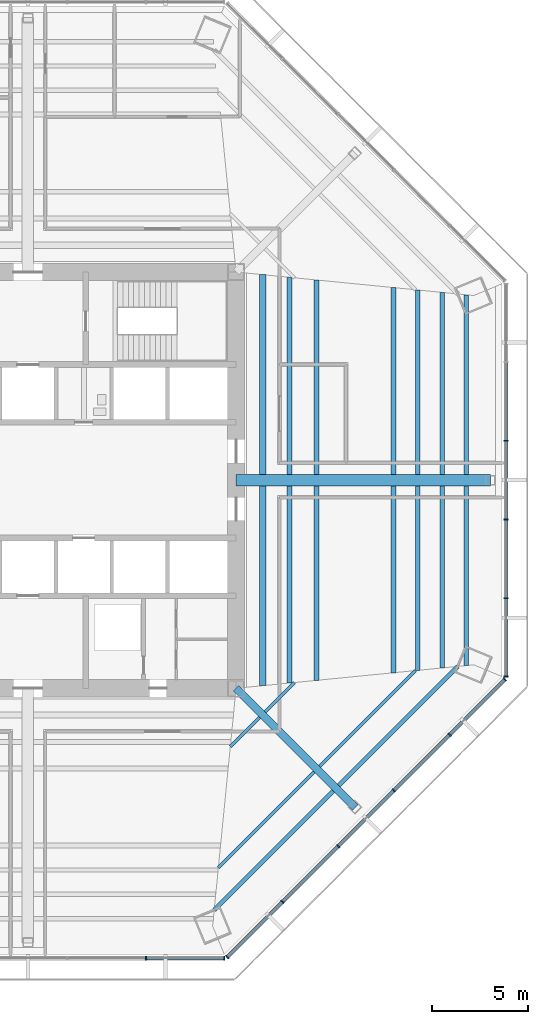
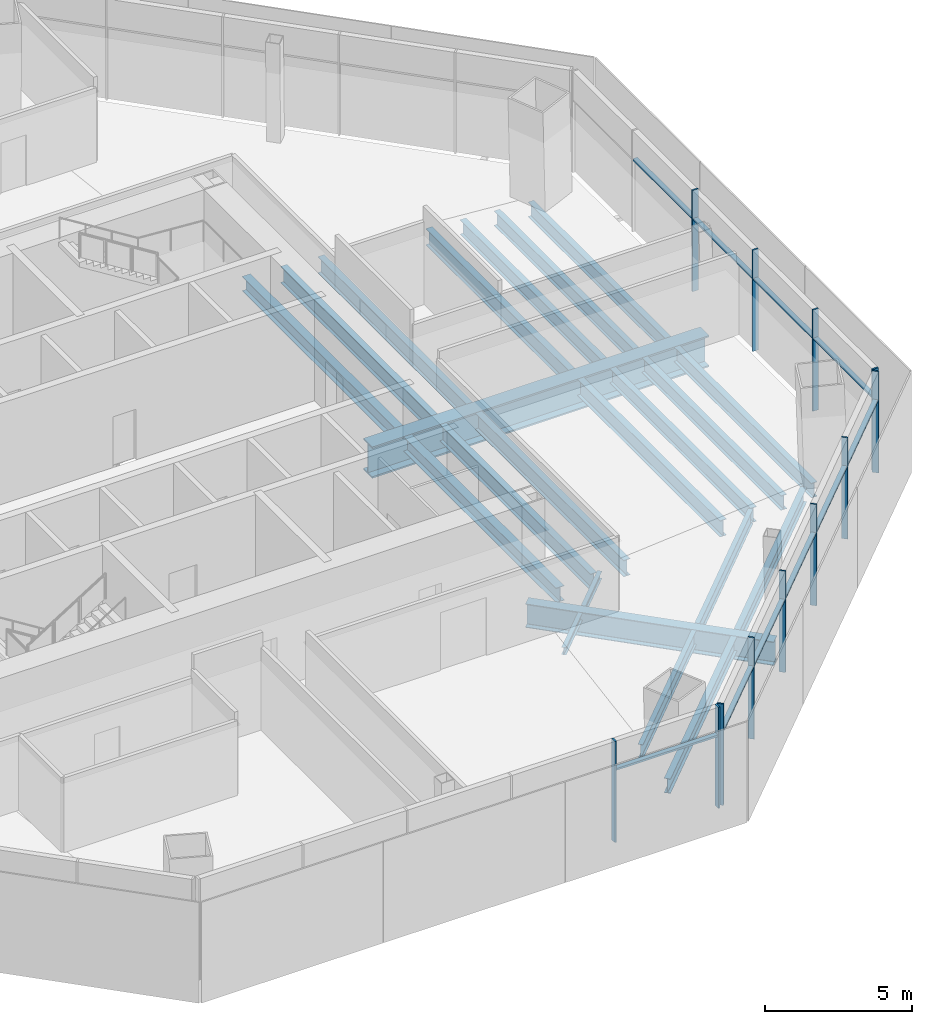
# One storey, part 4 of 14: 22 beams, 22 members, 3 elements without a shape of their own.
"""IFC4 building model written with IfcOpenShell, lengths in metres."""

from ifc_helpers import new_model, si_unit, direction, frame, origin, origin_2d, place, context, subcontext, project, spatial, rectangle, i_section, extrude, source, transform, mapped, material, material_profile, profile_set, type_object, type_shapes, element, aggregate, save


model = new_model("IFC4")

# Units and contexts
model_context = context("Model", 3, precision=1e-05, world=origin(), true_north=direction((0.0, 1.0)))
body_context = subcontext(model_context, "Body", "Model", "MODEL_VIEW")
ifc_project = project(units=[si_unit("LENGTHUNIT", "METRE"), si_unit("AREAUNIT", "SQUARE_METRE"), si_unit("VOLUMEUNIT", "CUBIC_METRE"), si_unit("PLANEANGLEUNIT", "RADIAN"), si_unit("MASSUNIT", "GRAM", prefix="KILO")], contexts=[model_context])

# Site, building, storey
site_placement = place(None, origin())
site = spatial("IfcSite", under=ifc_project, at=site_placement, CompositionType="ELEMENT")
building_placement = place(site_placement, origin())
building = spatial("IfcBuilding", under=site, at=building_placement, Name="Mashrafa Tower", CompositionType="ELEMENT")
storey_placement = place(building_placement, frame((0.0, 0.0, 113.39990234375)))
storey = spatial("IfcBuildingStorey", under=building, at=storey_placement, Name="L25", CompositionType="ELEMENT", Elevation=113.39990234375)

# Beams
ifc_material_1 = material(Name="Steel ASTM A572 Gr 50", Category="steel")
ifc_material_profile_1 = material_profile(ifc_material_1, i_section(OverallWidth=0.60009765625, OverallDepth=1.300048828125, WebThickness=0.028076171875, FlangeThickness=0.06494140625, at=origin_2d()), Name="H1300X600X28X65")
ifc_profile_set_1 = profile_set([ifc_material_profile_1], Name="Steel ASTM A572 Gr 50")
beam_type_1 = type_object("IfcBeamType", Name="Beam H1300X600X28X65", PredefinedType="BEAM", material=ifc_profile_set_1)
beam_1_placement = place(storey_placement, frame((10.800048828125, 0.0, -0.81494140625), z_axis=(1.0, 0.0, 0.0), x_axis=(0.0, 1.0, 0.0)))
element("IfcBeam", 1, at=beam_1_placement, inside=storey, type_object=beam_type_1, Name="Radial girder L25 087", PredefinedType="BEAM", context=body_context, shape_type="SweptSolid", body=[
    extrude(i_section(OverallWidth=0.60009765625, OverallDepth=1.300048828125, WebThickness=0.028076171875, FlangeThickness=0.06494140625, at=origin_2d()), origin(), (0.0, 0.0, 1.0), 13.21142578125),
])
ifc_material_2 = material(Name="Steel ASTM A992", Category="steel")
ifc_material_profile_2 = material_profile(ifc_material_2, i_section(OverallWidth=0.164794921875, OverallDepth=0.309814453125, WebThickness=0.005859375, FlangeThickness=0.009765625, FilletRadius=0.007568359375, at=origin_2d()), Name="W12X26")
ifc_profile_set_2 = profile_set([ifc_material_profile_2], Name="Steel ASTM A992")
beam_type_2 = type_object("IfcBeamType", Name="Beam W12X26", PredefinedType="BEAM", material=ifc_profile_set_2)
for number, where, z_axis, x_axis, name in (
    (2, (12.0224609375, -12.306396484375, -0.31982421875), (-0.707163515393, -0.707050042428, 0.0), (0.707050042428, -0.707163515393, 0.0), "Floor beam L25 058"),
    (3, (13.82763671875, -10.5009765625, -0.31982421875), (-0.707050042428, -0.707163515393, 0.0), (0.707163515393, -0.707050042428, 0.0), "Floor beam L25 064"),
):
    element("IfcBeam", number, at=place(storey_placement, frame(where, z_axis=z_axis, x_axis=x_axis)), inside=storey, type_object=beam_type_2, Name=name, PredefinedType="BEAM", context=body_context, shape_type="SweptSolid", body=[
        extrude(i_section(OverallWidth=0.164794921875, OverallDepth=0.309814453125, WebThickness=0.005859375, FlangeThickness=0.009765625, FilletRadius=0.007568359375, at=origin_2d()), origin(), (0.0, 0.0, 1.0), 2.151611328125),
    ])
ifc_material_3 = material(Name="Steel ASTM A992", Category="steel")
ifc_material_profile_3 = material_profile(ifc_material_3, i_section(OverallWidth=0.3251953125, OverallDepth=0.612060546875, WebThickness=0.0126953125, FlangeThickness=0.01904296875, FilletRadius=0.0126953125, at=origin_2d()), Name="W24X104")
ifc_profile_set_3 = profile_set([ifc_material_profile_3], Name="Steel ASTM A992")
beam_type_3 = type_object("IfcBeamType", Name="Beam W24X104", PredefinedType="BEAM", material=ifc_profile_set_3)
for number, where, z_axis, x_axis, name in (
    (4, (12.18896484375, -0.300048828125, -0.470947265625), (0.0, -1.0, 0.0), (1.0, 0.0, 0.0), "Floor beam L25 060"),
    (5, (12.18896484375, 10.662841796875, -0.470947265625), (0.0, -1.0, 0.0), (1.0, 0.0, 0.0), "Floor beam L25 061"),
):
    element("IfcBeam", number, at=place(storey_placement, frame(where, z_axis=z_axis, x_axis=x_axis)), inside=storey, type_object=beam_type_3, Name=name, PredefinedType="BEAM", context=body_context, shape_type="SweptSolid", body=[
        extrude(i_section(OverallWidth=0.3251953125, OverallDepth=0.612060546875, WebThickness=0.0126953125, FlangeThickness=0.01904296875, FilletRadius=0.0126953125, at=origin_2d()), origin(), (0.0, 0.0, 1.0), 10.36279296875),
    ])
ifc_material_4 = material(Name="Steel ASTM A992", Category="steel")
ifc_material_profile_4 = material_profile(ifc_material_4, i_section(OverallWidth=0.177978515625, OverallDepth=0.599365234375, WebThickness=0.010009765625, FlangeThickness=0.012939453125, FilletRadius=0.012939453125, at=origin_2d()), Name="W24X55")
ifc_profile_set_4 = profile_set([ifc_material_profile_4], Name="Steel ASTM A992")
beam_type_4 = type_object("IfcBeamType", Name="Beam W24X55", PredefinedType="BEAM", material=ifc_profile_set_4)
for number, where, z_axis, x_axis, name in (
    (6, (14.850830078125, -15.134765625, -0.464599609375), (-0.707106781187, -0.707106781187, 0.0), (0.707106781187, -0.707106781187, 0.0), "Floor beam L25 067"),
    (7, (20.1044921875, -9.881103515625, -0.464599609375), (-0.707106781187, -0.707106781187, 0.0), (0.707106781187, -0.707106781187, 0.0), "Floor beam L25 073"),
):
    element("IfcBeam", number, at=place(storey_placement, frame(where, z_axis=z_axis, x_axis=x_axis)), inside=storey, type_object=beam_type_4, Name=name, PredefinedType="BEAM", context=body_context, shape_type="SweptSolid", body=[
        extrude(i_section(OverallWidth=0.177978515625, OverallDepth=0.599365234375, WebThickness=0.010009765625, FlangeThickness=0.012939453125, FilletRadius=0.012939453125, at=origin_2d()), origin(), (0.0, 0.0, 1.0), 7.0283203125),
    ])
ifc_material_5 = material(Name="Steel ASTM A992", Category="steel")
ifc_material_profile_5 = material_profile(ifc_material_5, i_section(OverallWidth=0.228271484375, OverallDepth=0.607177734375, WebThickness=0.01123046875, FlangeThickness=0.017333984375, FilletRadius=0.0126953125, at=origin_2d()), Name="W24X76")
ifc_profile_set_5 = profile_set([ifc_material_profile_5], Name="Steel ASTM A992")
beam_type_5 = type_object("IfcBeamType", Name="Beam W24X76", PredefinedType="BEAM", material=ifc_profile_set_5)
for number, where, z_axis, x_axis, name in (
    (8, (15.84375, -16.127685546875, -0.468505859375), (-0.707106781187, -0.707106781187, 0.0), (0.707106781187, -0.707106781187, 0.0), "Floor beam L25 069"),
    (9, (22.307861328125, -9.66357421875, -0.468505859375), (-0.707106781187, -0.707106781187, 0.0), (0.707106781187, -0.707106781187, 0.0), "Floor beam L25 078"),
):
    element("IfcBeam", number, at=place(storey_placement, frame(where, z_axis=z_axis, x_axis=x_axis)), inside=storey, type_object=beam_type_5, Name=name, PredefinedType="BEAM", context=body_context, shape_type="SweptSolid", body=[
        extrude(i_section(OverallWidth=0.228271484375, OverallDepth=0.607177734375, WebThickness=0.01123046875, FlangeThickness=0.017333984375, FilletRadius=0.0126953125, at=origin_2d()), origin(), (0.0, 0.0, 1.0), 8.739990234375),
    ])
ifc_material_6 = material(Name="Steel ASTM A992", Category="steel")
ifc_material_profile_6 = material_profile(ifc_material_6, i_section(OverallWidth=0.22900390625, OverallDepth=0.612060546875, WebThickness=0.011962890625, FlangeThickness=0.01953125, FilletRadius=0.0126953125, at=origin_2d()), Name="W24X84")
ifc_profile_set_6 = profile_set([ifc_material_profile_6], Name="Steel ASTM A992")
beam_type_6 = type_object("IfcBeamType", Name="Beam W24X84", PredefinedType="BEAM", material=ifc_profile_set_6)
for number, where, z_axis, x_axis, name in (
    (10, (20.22802734375, -0.300048828125, -0.470947265625), (0.0, -1.0, 0.0), (1.0, 0.0, 0.0), "Floor beam L25 074"),
    (11, (20.22802734375, 9.868896484375, -0.470947265625), (0.0, -1.0, 0.0), (1.0, 0.0, 0.0), "Floor beam L25 075"),
):
    element("IfcBeam", number, at=place(storey_placement, frame(where, z_axis=z_axis, x_axis=x_axis)), inside=storey, type_object=beam_type_6, Name=name, PredefinedType="BEAM", context=body_context, shape_type="SweptSolid", body=[
        extrude(i_section(OverallWidth=0.22900390625, OverallDepth=0.612060546875, WebThickness=0.011962890625, FlangeThickness=0.01953125, FilletRadius=0.0126953125, at=origin_2d()), origin(), (0.0, 0.0, 1.0), 9.56884765625),
    ])
for number, where, z_axis, x_axis, name in (
    (12, (21.4892578125, -0.300048828125, -0.470947265625), (0.0, -1.0, 0.0), (1.0, 0.0, 0.0), "Floor beam L25 076"),
    (13, (21.4892578125, 9.744384765625, -0.470947265625), (0.0, -1.0, 0.0), (1.0, 0.0, 0.0), "Floor beam L25 077"),
):
    element("IfcBeam", number, at=place(storey_placement, frame(where, z_axis=z_axis, x_axis=x_axis)), inside=storey, type_object=beam_type_6, Name=name, PredefinedType="BEAM", context=body_context, shape_type="SweptSolid", body=[
        extrude(i_section(OverallWidth=0.22900390625, OverallDepth=0.612060546875, WebThickness=0.011962890625, FlangeThickness=0.01953125, FilletRadius=0.0126953125, at=origin_2d()), origin(), (0.0, 0.0, 1.0), 9.4443359375),
    ])
for number, where, z_axis, x_axis, name in (
    (14, (22.75048828125, -0.300048828125, -0.470947265625), (0.0, -1.0, 0.0), (1.0, 0.0, 0.0), "Floor beam L25 079"),
    (15, (22.75048828125, 9.619873046875, -0.470947265625), (0.0, -1.0, 0.0), (1.0, 0.0, 0.0), "Floor beam L25 080"),
):
    element("IfcBeam", number, at=place(storey_placement, frame(where, z_axis=z_axis, x_axis=x_axis)), inside=storey, type_object=beam_type_6, Name=name, PredefinedType="BEAM", context=body_context, shape_type="SweptSolid", body=[
        extrude(i_section(OverallWidth=0.22900390625, OverallDepth=0.612060546875, WebThickness=0.011962890625, FlangeThickness=0.01953125, FilletRadius=0.0126953125, at=origin_2d()), origin(), (0.0, 0.0, 1.0), 9.31982421875),
    ])
ifc_material_7 = material(Name="Steel ASTM A992", Category="steel")
ifc_material_profile_7 = material_profile(ifc_material_7, i_section(OverallWidth=0.25390625, OverallDepth=0.67822265625, WebThickness=0.01171875, FlangeThickness=0.016357421875, FilletRadius=0.01513671875, at=origin_2d()), Name="W27X84")
ifc_profile_set_7 = profile_set([ifc_material_profile_7], Name="Steel ASTM A992")
beam_type_7 = type_object("IfcBeamType", Name="Beam W27X84", PredefinedType="BEAM", material=ifc_profile_set_7)
for number, where, z_axis, x_axis, name in (
    (16, (18.967041015625, -0.300048828125, -0.50390625), (0.0, -1.0, 0.0), (1.0, 0.0, 0.0), "Floor beam L25 071"),
    (17, (18.967041015625, 9.993408203125, -0.50390625), (0.0, -1.0, 0.0), (1.0, 0.0, 0.0), "Floor beam L25 072"),
):
    element("IfcBeam", number, at=place(storey_placement, frame(where, z_axis=z_axis, x_axis=x_axis)), inside=storey, type_object=beam_type_7, Name=name, PredefinedType="BEAM", context=body_context, shape_type="SweptSolid", body=[
        extrude(i_section(OverallWidth=0.25390625, OverallDepth=0.67822265625, WebThickness=0.01171875, FlangeThickness=0.016357421875, FilletRadius=0.01513671875, at=origin_2d()), origin(), (0.0, 0.0, 1.0), 9.693359375),
    ])
ifc_material_8 = material(Name="Steel ASTM A992", Category="steel")
ifc_material_profile_8 = material_profile(ifc_material_8, i_section(OverallWidth=0.25390625, OverallDepth=0.683349609375, WebThickness=0.012451171875, FlangeThickness=0.01904296875, FilletRadius=0.01513671875, at=origin_2d()), Name="W27X94")
ifc_profile_set_8 = profile_set([ifc_material_profile_8], Name="Steel ASTM A992")
beam_type_8 = type_object("IfcBeamType", Name="Beam W27X94", PredefinedType="BEAM", material=ifc_profile_set_8)
for number, where, z_axis, x_axis, name in (
    (18, (13.577880859375, -0.300048828125, -0.506591796875), (0.0, -1.0, 0.0), (1.0, 0.0, 0.0), "Floor beam L25 062"),
    (19, (13.577880859375, 10.525634765625, -0.506591796875), (0.0, -1.0, 0.0), (1.0, 0.0, 0.0), "Floor beam L25 063"),
):
    element("IfcBeam", number, at=place(storey_placement, frame(where, z_axis=z_axis, x_axis=x_axis)), inside=storey, type_object=beam_type_8, Name=name, PredefinedType="BEAM", context=body_context, shape_type="SweptSolid", body=[
        extrude(i_section(OverallWidth=0.25390625, OverallDepth=0.683349609375, WebThickness=0.012451171875, FlangeThickness=0.01904296875, FilletRadius=0.01513671875, at=origin_2d()), origin(), (0.0, 0.0, 1.0), 10.2255859375),
    ])
for number, where, z_axis, x_axis, name in (
    (20, (14.967041015625, -0.300048828125, -0.506591796875), (0.0, -1.0, 0.0), (1.0, 0.0, 0.0), "Floor beam L25 065"),
    (21, (14.967041015625, 10.388427734375, -0.506591796875), (0.0, -1.0, 0.0), (1.0, 0.0, 0.0), "Floor beam L25 066"),
):
    element("IfcBeam", number, at=place(storey_placement, frame(where, z_axis=z_axis, x_axis=x_axis)), inside=storey, type_object=beam_type_8, Name=name, PredefinedType="BEAM", context=body_context, shape_type="SweptSolid", body=[
        extrude(i_section(OverallWidth=0.25390625, OverallDepth=0.683349609375, WebThickness=0.012451171875, FlangeThickness=0.01904296875, FilletRadius=0.01513671875, at=origin_2d()), origin(), (0.0, 0.0, 1.0), 10.08837890625),
    ])
ifc_material_9 = material(Name="Steel ASTM A992", Category="steel")
ifc_material_profile_9 = material_profile(ifc_material_9, i_section(OverallWidth=0.4013671875, OverallDepth=0.98291015625, WebThickness=0.0166015625, FlangeThickness=0.027099609375, FilletRadius=0.0126953125, at=origin_2d()), Name="W40X199")
ifc_profile_set_9 = profile_set([ifc_material_profile_9], Name="Steel ASTM A992")
beam_type_9 = type_object("IfcBeamType", Name="Beam W40X199", PredefinedType="BEAM", material=ifc_profile_set_9)
beam_2_placement = place(storey_placement, frame((10.800048828125, -10.800048828125, -0.656494140625), z_axis=(0.707106781187, -0.707106781187, 0.0), x_axis=(0.707106781187, 0.707106781187, 0.0)))
element("IfcBeam", 22, at=beam_2_placement, inside=storey, type_object=beam_type_9, Name="Radial girder L25 086", PredefinedType="BEAM", context=body_context, shape_type="SweptSolid", body=[
    extrude(i_section(OverallWidth=0.4013671875, OverallDepth=0.98291015625, WebThickness=0.0166015625, FlangeThickness=0.027099609375, FilletRadius=0.0126953125, at=origin_2d()), origin(), (0.0, 0.0, 1.0), 8.738037109375),
])

# Curtain wall, members
ifc_material_10 = material(Name="Unitised aluminium curtain wall", Category="aluminium")
curtain_wall_type = type_object("IfcCurtainWallType", Name="Office curtain wall, zone 2 CW-B 225 deep", PredefinedType="NOTDEFINED", material=ifc_material_10)
curtain_wall_1_placement = place(storey_placement, origin())
curtain_wall_1 = element("IfcCurtainWall", 23, at=curtain_wall_1_placement, inside=storey, type_object=curtain_wall_type, Name="Office curtain wall, zone 2 L25 east", PredefinedType="NOTDEFINED")
ifc_material_11 = material(Name="Extruded aluminium mullion", Category="aluminium")
ifc_material_profile_10 = material_profile(ifc_material_11, rectangle(XDim=0.22509765625, YDim=0.06494140625, at=origin_2d()), Name="Mullion 65x225")
ifc_profile_set_10 = profile_set([ifc_material_profile_10], Name="Extruded aluminium mullion")
member_type_1 = type_object("IfcMemberType", Name="Mullion CW-B 65 x 225", PredefinedType="MULLION", material=ifc_profile_set_10)
shared_shape_1 = source(origin(), body_context, "Body", "SweptSolid", [
    extrude(rectangle(XDim=0.22509765625, YDim=0.06494140625, at=origin_2d()), origin(), (0.0, 0.0, 1.0), 4.2001953125),
])
type_shapes(member_type_1, [shared_shape_1])
member_1_placement = place(storey_placement, frame((24.806884765625, -10.186279296875, 0.0), z_axis=(0.0, 0.0, 1.0), x_axis=(-1.0, 0.0, 0.0)))
member_1 = element("IfcMember", 24, at=member_1_placement, type_object=member_type_1, Name="CW-B mullion 1", PredefinedType="MULLION", context=body_context, shape_type="MappedRepresentation", body=[
    mapped(shared_shape_1, transform((0.0, 0.0, 0.0))),
])
member_2_placement = place(storey_placement, frame((24.806884765625, -6.13134765625, 0.0), z_axis=(0.0, 0.0, 1.0), x_axis=(-1.0, 0.0, 0.0)))
member_2 = element("IfcMember", 25, at=member_2_placement, type_object=member_type_1, Name="CW-B mullion 2", PredefinedType="MULLION", context=body_context, shape_type="MappedRepresentation", body=[
    mapped(shared_shape_1, transform((0.0, 0.0, 0.0))),
])
member_3_placement = place(storey_placement, frame((24.806884765625, -2.043701171875, 0.0), z_axis=(0.0, 0.0, 1.0), x_axis=(-1.0, 0.0, 0.0)))
member_3 = element("IfcMember", 26, at=member_3_placement, type_object=member_type_1, Name="CW-B mullion 3", PredefinedType="MULLION", context=body_context, shape_type="MappedRepresentation", body=[
    mapped(shared_shape_1, transform((0.0, 0.0, 0.0))),
])
member_4_placement = place(storey_placement, frame((24.806884765625, 2.043701171875, 0.0), z_axis=(0.0, 0.0, 1.0), x_axis=(-1.0, 0.0, 0.0)))
member_4 = element("IfcMember", 27, at=member_4_placement, type_object=member_type_1, Name="CW-B mullion 4", PredefinedType="MULLION", context=body_context, shape_type="MappedRepresentation", body=[
    mapped(shared_shape_1, transform((0.0, 0.0, 0.0))),
])

curtain_wall_2_placement = place(storey_placement, origin())
curtain_wall_2 = element("IfcCurtainWall", 28, at=curtain_wall_2_placement, inside=storey, type_object=curtain_wall_type, Name="Office curtain wall, zone 2 L25 south", PredefinedType="NOTDEFINED")
member_5_placement = place(storey_placement, frame((6.13134765625, -24.806884765625, 0.0), z_axis=(0.0, 0.0, 1.0), x_axis=(0.0, 1.0, 0.0)))
member_5 = element("IfcMember", 29, at=member_5_placement, type_object=member_type_1, Name="CW-B mullion 5", PredefinedType="MULLION", context=body_context, shape_type="MappedRepresentation", body=[
    mapped(shared_shape_1, transform((0.0, 0.0, 0.0))),
])
member_6_placement = place(storey_placement, frame((10.186279296875, -24.806884765625, 0.0), z_axis=(0.0, 0.0, 1.0), x_axis=(0.0, 1.0, 0.0)))
member_6 = element("IfcMember", 30, at=member_6_placement, type_object=member_type_1, Name="CW-B mullion 6", PredefinedType="MULLION", context=body_context, shape_type="MappedRepresentation", body=[
    mapped(shared_shape_1, transform((0.0, 0.0, 0.0))),
])

curtain_wall_3_placement = place(storey_placement, origin())
curtain_wall_3 = element("IfcCurtainWall", 31, at=curtain_wall_3_placement, inside=storey, type_object=curtain_wall_type, Name="Office curtain wall, zone 2 L25 south-east", PredefinedType="NOTDEFINED")
member_7_placement = place(storey_placement, frame((10.33837890625, -24.743896484375, 0.0), z_axis=(0.0, 0.0, 1.0), x_axis=(-0.707106781187, 0.707106781187, 0.0)))
member_7 = element("IfcMember", 32, at=member_7_placement, type_object=member_type_1, Name="CW-B mullion 1", PredefinedType="MULLION", context=body_context, shape_type="MappedRepresentation", body=[
    mapped(shared_shape_1, transform((0.0, 0.0, 0.0))),
])
member_8_placement = place(storey_placement, frame((13.20556640625, -21.87646484375, 0.0), z_axis=(0.0, 0.0, 1.0), x_axis=(-0.707106781187, 0.707106781187, 0.0)))
member_8 = element("IfcMember", 33, at=member_8_placement, type_object=member_type_1, Name="CW-B mullion 2", PredefinedType="MULLION", context=body_context, shape_type="MappedRepresentation", body=[
    mapped(shared_shape_1, transform((0.0, 0.0, 0.0))),
])
member_9_placement = place(storey_placement, frame((16.095947265625, -18.986083984375, 0.0), z_axis=(0.0, 0.0, 1.0), x_axis=(-0.707106781187, 0.707106781187, 0.0)))
member_9 = element("IfcMember", 34, at=member_9_placement, type_object=member_type_1, Name="CW-B mullion 3", PredefinedType="MULLION", context=body_context, shape_type="MappedRepresentation", body=[
    mapped(shared_shape_1, transform((0.0, 0.0, 0.0))),
])
member_10_placement = place(storey_placement, frame((18.986083984375, -16.095947265625, 0.0), z_axis=(0.0, 0.0, 1.0), x_axis=(-0.707106781187, 0.707106781187, 0.0)))
member_10 = element("IfcMember", 35, at=member_10_placement, type_object=member_type_1, Name="CW-B mullion 4", PredefinedType="MULLION", context=body_context, shape_type="MappedRepresentation", body=[
    mapped(shared_shape_1, transform((0.0, 0.0, 0.0))),
])
member_11_placement = place(storey_placement, frame((21.87646484375, -13.20556640625, 0.0), z_axis=(0.0, 0.0, 1.0), x_axis=(-0.707106781187, 0.707106781187, 0.0)))
member_11 = element("IfcMember", 36, at=member_11_placement, type_object=member_type_1, Name="CW-B mullion 5", PredefinedType="MULLION", context=body_context, shape_type="MappedRepresentation", body=[
    mapped(shared_shape_1, transform((0.0, 0.0, 0.0))),
])
member_12_placement = place(storey_placement, frame((24.743896484375, -10.33837890625, 0.0), z_axis=(0.0, 0.0, 1.0), x_axis=(-0.707106781187, 0.707106781187, 0.0)))
member_12 = element("IfcMember", 37, at=member_12_placement, type_object=member_type_1, Name="CW-B mullion 6", PredefinedType="MULLION", context=body_context, shape_type="MappedRepresentation", body=[
    mapped(shared_shape_1, transform((0.0, 0.0, 0.0))),
])

# Member
ifc_material_12 = material(Name="Extruded aluminium transom", Category="aluminium")
ifc_material_profile_11 = material_profile(ifc_material_12, rectangle(XDim=0.179931640625, YDim=0.080078125, at=origin_2d()), Name="Transom 80x180")
ifc_profile_set_11 = profile_set([ifc_material_profile_11], Name="Extruded aluminium transom")
member_type_2 = type_object("IfcMemberType", Name="Transom CW-B 80 x 180", PredefinedType="MULLION", material=ifc_profile_set_11)
shared_shape_2 = source(origin(), body_context, "Body", "SweptSolid", [
    extrude(rectangle(XDim=0.179931640625, YDim=0.080078125, at=origin_2d()), origin(), (0.0, 0.0, 1.0), 3.989990234375),
])
member_13_placement = place(storey_placement, frame((24.806884765625, -10.15380859375, 3.0), z_axis=(0.0, 1.0, 0.0), x_axis=(-1.0, 0.0, 0.0)))
member_13 = element("IfcMember", 38, at=member_13_placement, type_object=member_type_2, Name="CW-B transom 1", PredefinedType="MULLION", context=body_context, shape_type="MappedRepresentation", body=[
    mapped(shared_shape_2, transform((0.0, 0.0, 0.0))),
])

member_14_placement = place(storey_placement, frame((6.163818359375, -24.806884765625, 3.0), z_axis=(1.0, 0.0, 0.0), x_axis=(0.0, 1.0, 0.0)))
member_14 = element("IfcMember", 39, at=member_14_placement, type_object=member_type_2, Name="CW-B transom 5", PredefinedType="MULLION", context=body_context, shape_type="MappedRepresentation", body=[
    mapped(shared_shape_2, transform((0.0, 0.0, 0.0))),
])

aggregate(curtain_wall_2, [member_5, member_6, member_14])

member_15_placement = place(storey_placement, frame((10.361328125, -24.720703125, 3.0), z_axis=(0.707106781187, 0.707106781187, 0.0), x_axis=(-0.707106781187, 0.707106781187, 0.0)))
member_15 = element("IfcMember", 40, at=member_15_placement, type_object=member_type_2, Name="CW-B transom 1", PredefinedType="MULLION", context=body_context, shape_type="MappedRepresentation", body=[
    mapped(shared_shape_2, transform((0.0, 0.0, 0.0))),
])

member_16_placement = place(storey_placement, frame((21.8994140625, -13.1826171875, 3.0), z_axis=(0.707106781187, 0.707106781187, 0.0), x_axis=(-0.707106781187, 0.707106781187, 0.0)))
member_16 = element("IfcMember", 41, at=member_16_placement, type_object=member_type_2, Name="CW-B transom 5", PredefinedType="MULLION", context=body_context, shape_type="MappedRepresentation", body=[
    mapped(shared_shape_2, transform((0.0, 0.0, 0.0))),
])

shared_shape_3 = source(origin(), body_context, "Body", "SweptSolid", [
    extrude(rectangle(XDim=0.179931640625, YDim=0.080078125, at=origin_2d()), origin(), (0.0, 0.0, 1.0), 4.0224609375),
])
type_shapes(member_type_2, [shared_shape_2, shared_shape_3])
member_17_placement = place(storey_placement, frame((24.806884765625, -6.0986328125, 3.0), z_axis=(0.0, 1.0, 0.0), x_axis=(-1.0, 0.0, 0.0)))
member_17 = element("IfcMember", 42, at=member_17_placement, type_object=member_type_2, Name="CW-B transom 2", PredefinedType="MULLION", context=body_context, shape_type="MappedRepresentation", body=[
    mapped(shared_shape_3, transform((0.0, 0.0, 0.0))),
])

member_18_placement = place(storey_placement, frame((24.806884765625, -2.01123046875, 3.0), z_axis=(0.0, 1.0, 0.0), x_axis=(-1.0, 0.0, 0.0)))
member_18 = element("IfcMember", 43, at=member_18_placement, type_object=member_type_2, Name="CW-B transom 3", PredefinedType="MULLION", context=body_context, shape_type="MappedRepresentation", body=[
    mapped(shared_shape_3, transform((0.0, 0.0, 0.0))),
])

member_19_placement = place(storey_placement, frame((24.806884765625, 2.076171875, 3.0), z_axis=(0.0, 1.0, 0.0), x_axis=(-1.0, 0.0, 0.0)))
member_19 = element("IfcMember", 44, at=member_19_placement, type_object=member_type_2, Name="CW-B transom 4", PredefinedType="MULLION", context=body_context, shape_type="MappedRepresentation", body=[
    mapped(shared_shape_3, transform((0.0, 0.0, 0.0))),
])

aggregate(curtain_wall_1, [member_1, member_2, member_3, member_4, member_13, member_17, member_18, member_19])

member_20_placement = place(storey_placement, frame((13.228515625, -21.853515625, 3.0), z_axis=(0.707137127163, 0.707076433907, 0.0), x_axis=(-0.707076433907, 0.707137127163, 0.0)))
member_20 = element("IfcMember", 45, at=member_20_placement, type_object=member_type_2, Name="CW-B transom 2", PredefinedType="MULLION", context=body_context, shape_type="MappedRepresentation", body=[
    mapped(shared_shape_3, transform((0.0, 0.0, 0.0))),
])

member_21_placement = place(storey_placement, frame((16.118896484375, -18.963134765625, 3.0), z_axis=(0.707106781187, 0.707106781187, 0.0), x_axis=(-0.707106781187, 0.707106781187, 0.0)))
member_21 = element("IfcMember", 46, at=member_21_placement, type_object=member_type_2, Name="CW-B transom 3", PredefinedType="MULLION", context=body_context, shape_type="MappedRepresentation", body=[
    mapped(shared_shape_3, transform((0.0, 0.0, 0.0))),
])

member_22_placement = place(storey_placement, frame((19.00927734375, -16.072998046875, 3.0), z_axis=(0.707076433907, 0.707137127163, 0.0), x_axis=(-0.707137127163, 0.707076433907, 0.0)))
member_22 = element("IfcMember", 47, at=member_22_placement, type_object=member_type_2, Name="CW-B transom 4", PredefinedType="MULLION", context=body_context, shape_type="MappedRepresentation", body=[
    mapped(shared_shape_3, transform((0.0, 0.0, 0.0))),
])

aggregate(curtain_wall_3, [member_7, member_8, member_9, member_10, member_11, member_12, member_15, member_20, member_21, member_22, member_16])

save(model, "model.ifc")
